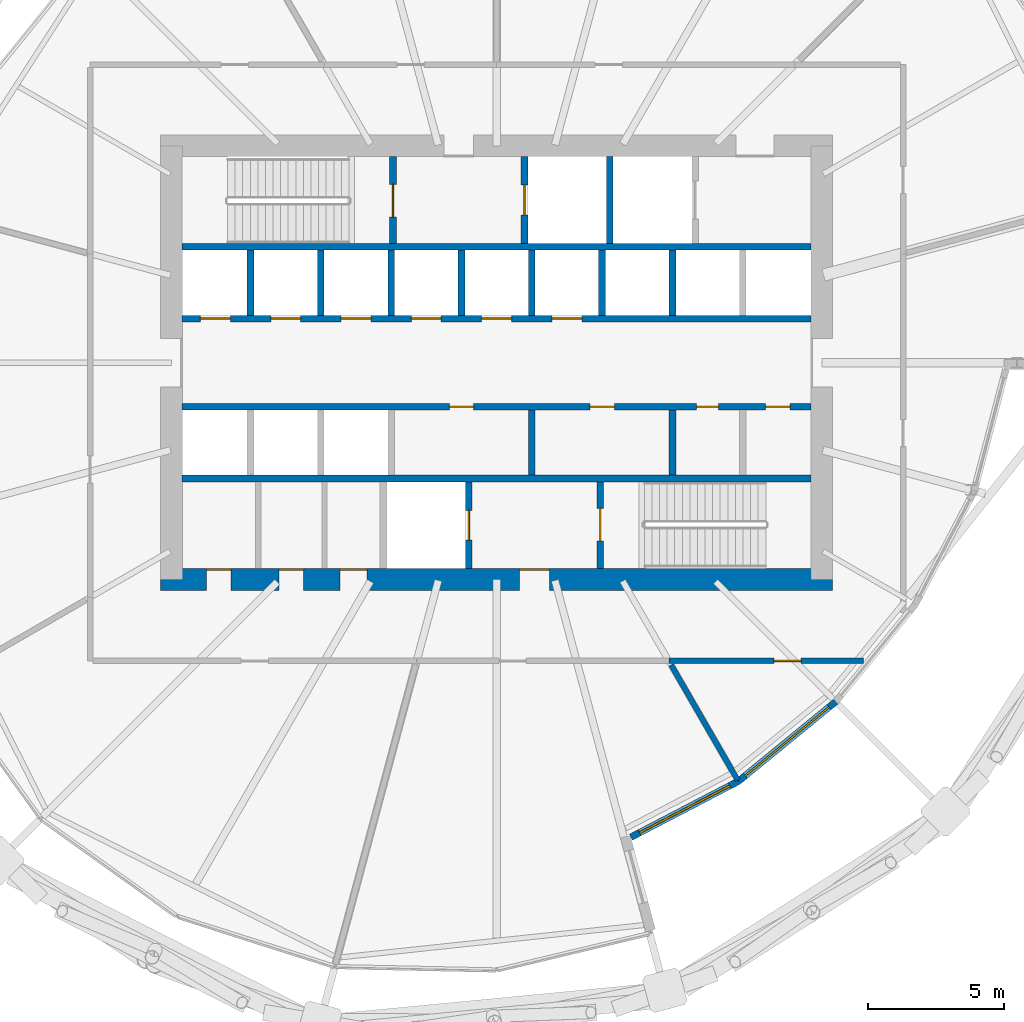
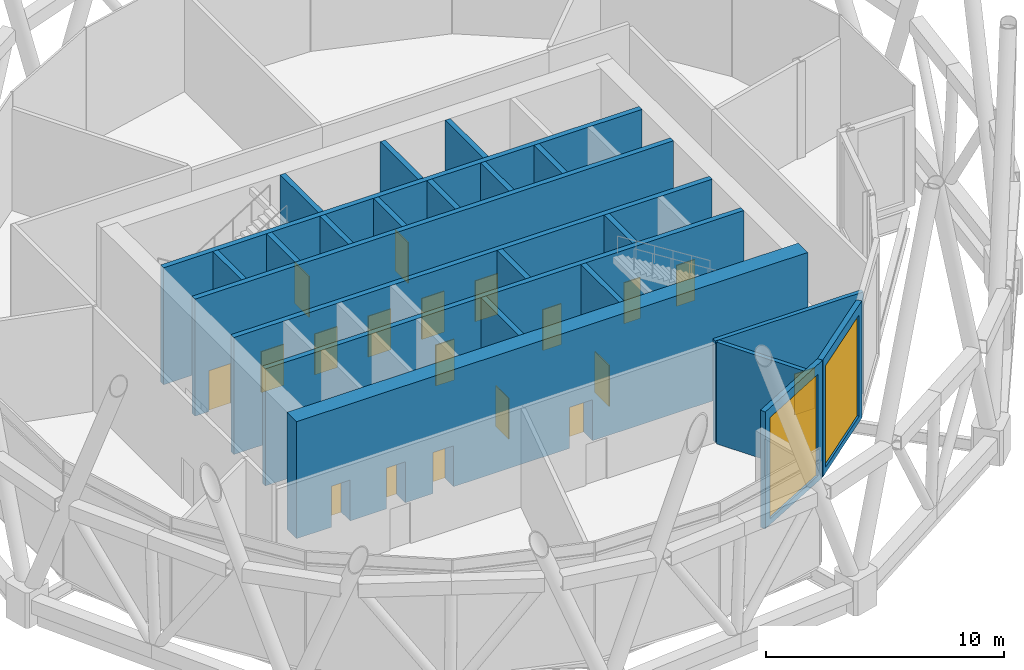
# One storey, part 29 of 33: 23 walls, 19 doors, 2 windows, 21 openings.
"""IFC4 building model written with IfcOpenShell, lengths in metres."""

from ifc_helpers import new_model, si_unit, direction, frame, frame_2d, origin, place, context, subcontext, project, spatial, rectangle, extrude, material, layer, layer_set, type_object, element, fill, save


model = new_model("IFC4")

# Units and contexts
model_context = context("Model", 3, precision=1e-05, world=origin(), true_north=direction((0.0, 1.0)))
body_context = subcontext(model_context, "Body", "Model", "MODEL_VIEW")
ifc_project = project(units=[si_unit("LENGTHUNIT", "METRE"), si_unit("AREAUNIT", "SQUARE_METRE"), si_unit("VOLUMEUNIT", "CUBIC_METRE"), si_unit("PLANEANGLEUNIT", "RADIAN"), si_unit("MASSUNIT", "GRAM", prefix="KILO")], contexts=[model_context])

# Site, building, storey
site_placement = place(None, origin())
site = spatial("IfcSite", under=ifc_project, at=site_placement, CompositionType="ELEMENT")
building_placement = place(site_placement, origin())
building = spatial("IfcBuilding", under=site, at=building_placement, Name="Rimbun Link Towers", CompositionType="ELEMENT")
storey_placement = place(building_placement, frame((0.0, 0.0, 75.60009765625)))
storey = spatial("IfcBuildingStorey", under=building, at=storey_placement, Name="L18", CompositionType="ELEMENT", Elevation=75.60009765625)

# Wall, opening, window
ifc_material_1 = material(Name="Dark enamelled glass spandrel on insulated aluminium backpan", Category="aluminium")
ifc_layer_1 = layer(ifc_material_1, 0.25)
ifc_layer_set_1 = layer_set([ifc_layer_1], Name="CS dark enamelled spandrel wall 250")
wall_type_1 = type_object("IfcWallType", Name="CS dark enamelled spandrel wall 250", PredefinedType="STANDARD", material=ifc_layer_set_1)
wall_1_placement = place(storey_placement, frame((40.6748046875, -15.443359375, 0.0), z_axis=(0.0, 0.0, 1.0), x_axis=(-0.887027558448, -0.461716482869, 0.0)))
wall_1 = element("IfcWall", 1, at=wall_1_placement, inside=storey, type_object=wall_type_1, Name="Crease spandrel wall", PredefinedType="STANDARD", context=body_context, shape_type="SweptSolid", body=[
    extrude(rectangle(XDim=4.479736328125, YDim=0.25, at=frame_2d((2.23974609375, 0.0))), origin(), (0.0, 0.0, 1.0), 6.0),
])
opening_1_placement = place(wall_1_placement, frame((0.364990234375, 0.0, 0.300048828125)))
opening_1 = element("IfcOpeningElement", 2, at=opening_1_placement, cuts=wall_1, Name="Opening WR38H520", PredefinedType="OPENING", context=body_context, shape_type="SweptSolid", body=[
    extrude(rectangle(XDim=3.75, YDim=5.199951171875, at=frame_2d((1.875, 2.60009765625))), frame((0.0, 0.135009765625, 0.0), z_axis=(0.0, -1.0, 0.0), x_axis=(1.0, 0.0, 0.0)), (0.0, 0.0, 1.0), 0.27001953125),
])
ifc_material_2 = material(Name="Aluminium framed fixed window, dark tinted low-e glass", Category="aluminium")
window_type_1 = type_object("IfcWindowType", Name="WR ribbon window 3750X5200", PartitioningType="SINGLE_PANEL", PredefinedType="WINDOW", material=ifc_material_2)
window_1_placement = place(opening_1_placement, origin())
window_1 = element("IfcWindow", 3, at=window_1_placement, inside=storey, type_object=window_type_1, Name="Crease ribbon window", OverallHeight=5.199951171875, OverallWidth=3.75, PartitioningType="SINGLE_PANEL", PredefinedType="WINDOW", context=body_context, shape_type="SweptSolid", body=[
    extrude(rectangle(XDim=3.75, YDim=5.199951171875, at=frame_2d((1.875, 2.60009765625))), frame((0.0, 0.030029296875, 0.0), z_axis=(0.0, -1.0, 0.0), x_axis=(1.0, 0.0, 0.0)), (0.0, 0.0, 1.0), 0.06005859375),
])
fill(opening_1, window_1)

wall_2_placement = place(storey_placement, frame((44.259765625, -12.509765625, 0.0), z_axis=(0.0, 0.0, 1.0), x_axis=(-0.773910332823, -0.633295189268, 0.0)))
wall_2 = element("IfcWall", 4, at=wall_2_placement, inside=storey, type_object=wall_type_1, Name="Crease spandrel wall", PredefinedType="STANDARD", context=body_context, shape_type="SweptSolid", body=[
    extrude(rectangle(XDim=4.63232421875, YDim=0.25, at=frame_2d((2.316162109375, 0.0))), origin(), (0.0, 0.0, 1.0), 6.0),
])
opening_2_placement = place(wall_2_placement, frame((0.316162109375, 0.0, 0.300048828125)))
opening_2 = element("IfcOpeningElement", 5, at=opening_2_placement, cuts=wall_2, Name="Opening WR40H520", PredefinedType="OPENING", context=body_context, shape_type="SweptSolid", body=[
    extrude(rectangle(XDim=4.0, YDim=5.199951171875, at=frame_2d((2.0, 2.60009765625))), frame((0.0, 0.135009765625, 0.0), z_axis=(0.0, -1.0, 0.0), x_axis=(1.0, 0.0, 0.0)), (0.0, 0.0, 1.0), 0.27001953125),
])
ifc_material_3 = material(Name="Aluminium framed fixed window, dark tinted low-e glass", Category="aluminium")
window_type_2 = type_object("IfcWindowType", Name="WR ribbon window 4000X5200", PartitioningType="SINGLE_PANEL", PredefinedType="WINDOW", material=ifc_material_3)
window_2_placement = place(opening_2_placement, origin())
window_2 = element("IfcWindow", 6, at=window_2_placement, inside=storey, type_object=window_type_2, Name="Crease ribbon window", OverallHeight=5.199951171875, OverallWidth=4.0, PartitioningType="SINGLE_PANEL", PredefinedType="WINDOW", context=body_context, shape_type="SweptSolid", body=[
    extrude(rectangle(XDim=4.0, YDim=5.199951171875, at=frame_2d((2.0, 2.60009765625))), frame((0.0, 0.030029296875, 0.0), z_axis=(0.0, -1.0, 0.0), x_axis=(1.0, 0.0, 0.0)), (0.0, 0.0, 1.0), 0.06005859375),
])
fill(opening_2, window_2)

# Wall, openings, doors
ifc_material_4 = material(Name="Concrete C60/75", Category="concrete")
ifc_layer_2 = layer(ifc_material_4, 0.800048828125)
ifc_layer_set_2 = layer_set([ifc_layer_2], Name="Core shear wall 800")
wall_type_2 = type_object("IfcWallType", Name="Core shear wall 800", PredefinedType="SHEAR", material=ifc_layer_set_2)
wall_3_placement = place(storey_placement, frame((19.35009765625, -8.0, 0.0), z_axis=(0.0, 0.0, 1.0), x_axis=(1.0, 0.0, 0.0)))
wall_3 = element("IfcWall", 7, at=wall_3_placement, inside=storey, type_object=wall_type_2, Name="L18 T2 core wall S", PredefinedType="SHEAR", context=body_context, shape_type="SweptSolid", body=[
    extrude(rectangle(XDim=24.7998046875, YDim=0.800048828125, at=frame_2d((12.39990234375, 0.0))), origin(), (0.0, 0.0, 1.0), 6.0),
])
opening_3_placement = place(wall_3_placement, frame((13.25, 0.0, 0.0)))
opening_3 = element("IfcOpeningElement", 8, at=opening_3_placement, cuts=wall_3, Name="Opening C2DCF01S", PredefinedType="OPENING", context=body_context, shape_type="SweptSolid", body=[
    extrude(rectangle(XDim=1.10009765625, YDim=2.10009765625, at=frame_2d((0.550048828125, 1.050048828125))), frame((0.0, 0.409912109375, 0.0), z_axis=(0.0, -1.0, 0.0), x_axis=(1.0, 0.0, 0.0)), (0.0, 0.0, 1.0), 0.820068359375),
])
opening_4_placement = place(wall_3_placement, frame((1.699951171875, 0.0, 0.0)))
opening_4 = element("IfcOpeningElement", 9, at=opening_4_placement, cuts=wall_3, Name="Opening C2DWC02S", PredefinedType="OPENING", context=body_context, shape_type="SweptSolid", body=[
    extrude(rectangle(XDim=0.89990234375, YDim=2.10009765625, at=frame_2d((0.449951171875, 1.050048828125))), frame((0.0, 0.409912109375, 0.0), z_axis=(0.0, -1.0, 0.0), x_axis=(1.0, 0.0, 0.0)), (0.0, 0.0, 1.0), 0.820068359375),
])
opening_5_placement = place(wall_3_placement, frame((4.375, 0.0, 0.0)))
opening_5 = element("IfcOpeningElement", 10, at=opening_5_placement, cuts=wall_3, Name="Opening C2DWC03S", PredefinedType="OPENING", context=body_context, shape_type="SweptSolid", body=[
    extrude(rectangle(XDim=0.89990234375, YDim=2.10009765625, at=frame_2d((0.449951171875, 1.050048828125))), frame((0.0, 0.409912109375, 0.0), z_axis=(0.0, -1.0, 0.0), x_axis=(1.0, 0.0, 0.0)), (0.0, 0.0, 1.0), 0.820068359375),
])
opening_6_placement = place(wall_3_placement, frame((6.625, 0.0, 0.0)))
opening_6 = element("IfcOpeningElement", 11, at=opening_6_placement, cuts=wall_3, Name="Opening C2DAW04S", PredefinedType="OPENING", context=body_context, shape_type="SweptSolid", body=[
    extrude(rectangle(XDim=1.0, YDim=2.10009765625, at=frame_2d((0.5, 1.050048828125))), frame((0.0, 0.409912109375, 0.0), z_axis=(0.0, -1.0, 0.0), x_axis=(1.0, 0.0, 0.0)), (0.0, 0.0, 1.0), 0.820068359375),
])
ifc_material_5 = material(Name="Timber", Category="wood")
door_type_1 = type_object("IfcDoorType", Name="Accessible WC door", OperationType="SINGLE_SWING_LEFT", PredefinedType="DOOR", material=ifc_material_5)
door_1_placement = place(opening_6_placement, origin())
door_1 = element("IfcDoor", 12, at=door_1_placement, inside=storey, type_object=door_type_1, Name="L18 T2 accessible wc door", OperationType="SINGLE_SWING_RIGHT", OverallHeight=2.10009765625, OverallWidth=1.0, PredefinedType="DOOR", context=body_context, shape_type="SweptSolid", body=[
    extrude(rectangle(XDim=1.0, YDim=2.10009765625, at=frame_2d((0.5, 1.050048828125))), frame((0.0, 0.39990234375, 0.0), z_axis=(0.0, -1.0, 0.0), x_axis=(1.0, 0.0, 0.0)), (0.0, 0.0, 1.0), 0.050048828125),
])
fill(opening_6, door_1)
ifc_material_6 = material(Name="Steel fire door set", Category="steel")
door_type_2 = type_object("IfcDoorType", Name="Core fire door single", OperationType="SINGLE_SWING_LEFT", PredefinedType="DOOR", material=ifc_material_6)
door_2_placement = place(opening_3_placement, origin())
door_2 = element("IfcDoor", 13, at=door_2_placement, inside=storey, type_object=door_type_2, Name="L18 T2 firefighting lobby s door", OperationType="SINGLE_SWING_RIGHT", OverallHeight=2.10009765625, OverallWidth=1.10009765625, PredefinedType="DOOR", context=body_context, shape_type="SweptSolid", body=[
    extrude(rectangle(XDim=1.10009765625, YDim=2.10009765625, at=frame_2d((0.550048828125, 1.050048828125))), frame((0.0, 0.39990234375, 0.0), z_axis=(0.0, -1.0, 0.0), x_axis=(1.0, 0.0, 0.0)), (0.0, 0.0, 1.0), 0.050048828125),
])
fill(opening_3, door_2)
ifc_material_7 = material(Name="Timber", Category="wood")
door_type_3 = type_object("IfcDoorType", Name="WC door", OperationType="SINGLE_SWING_LEFT", PredefinedType="DOOR", material=ifc_material_7)
door_3_placement = place(opening_4_placement, origin())
door_3 = element("IfcDoor", 14, at=door_3_placement, inside=storey, type_object=door_type_3, Name="L18 T2 male wc door", OperationType="SINGLE_SWING_RIGHT", OverallHeight=2.10009765625, OverallWidth=0.89990234375, PredefinedType="DOOR", context=body_context, shape_type="SweptSolid", body=[
    extrude(rectangle(XDim=0.89990234375, YDim=2.10009765625, at=frame_2d((0.449951171875, 1.050048828125))), frame((0.0, 0.39990234375, 0.0), z_axis=(0.0, -1.0, 0.0), x_axis=(1.0, 0.0, 0.0)), (0.0, 0.0, 1.0), 0.050048828125),
])
fill(opening_4, door_3)
door_4_placement = place(opening_5_placement, origin())
door_4 = element("IfcDoor", 15, at=door_4_placement, inside=storey, type_object=door_type_3, Name="L18 T2 female wc door", OperationType="SINGLE_SWING_LEFT", OverallHeight=2.10009765625, OverallWidth=0.89990234375, PredefinedType="DOOR", context=body_context, shape_type="SweptSolid", body=[
    extrude(rectangle(XDim=0.89990234375, YDim=2.10009765625, at=frame_2d((0.449951171875, 1.050048828125))), frame((0.0, 0.39990234375, 0.0), z_axis=(0.0, -1.0, 0.0), x_axis=(1.0, 0.0, 0.0)), (0.0, 0.0, 1.0), 0.050048828125),
])
fill(opening_5, door_4)

# Wall, opening, door
ifc_material_8 = material(Name="Concrete blockwork", Category="masonry")
ifc_layer_3 = layer(ifc_material_8, 0.199951171875)
ifc_layer_set_3 = layer_set([ifc_layer_3], Name="Fire partition 200 blockwork")
wall_type_3 = type_object("IfcWallType", Name="Fire partition 200 blockwork", PredefinedType="PARTITIONING", material=ifc_layer_set_3)
wall_4_placement = place(storey_placement, frame((38.100830078125, -11.0, 0.0), z_axis=(0.0, 0.0, 1.0), x_axis=(1.0, 0.0, 0.0)))
wall_4 = element("IfcWall", 16, at=wall_4_placement, inside=storey, type_object=wall_type_3, Name="TW/PW/L18/026", PredefinedType="PARTITIONING", context=body_context, shape_type="SweptSolid", body=[
    extrude(rectangle(XDim=7.182861328125, YDim=0.199951171875, at=frame_2d((3.59130859375, 0.0))), origin(), (0.0, 0.0, 1.0), 5.216796875),
])
opening_7_placement = place(wall_4_placement, frame((3.884033203125, 0.0, 0.0)))
opening_7 = element("IfcOpeningElement", 17, at=opening_7_placement, cuts=wall_4, Name="Opening TW D18.12", PredefinedType="OPENING", context=body_context, shape_type="SweptSolid", body=[
    extrude(rectangle(XDim=1.0, YDim=2.10009765625, at=frame_2d((0.5, 1.050048828125))), frame((0.0, 0.10986328125, 0.0), z_axis=(0.0, -1.0, 0.0), x_axis=(1.0, 0.0, 0.0)), (0.0, 0.0, 1.0), 0.219970703125),
])
ifc_material_9 = material(Name="Steel fire door set", Category="steel")
door_type_4 = type_object("IfcDoorType", Name="Fire door single leaf 1000 x 2100", OperationType="NOTDEFINED", PredefinedType="DOOR", material=ifc_material_9)
door_5_placement = place(opening_7_placement, origin())
door_5 = element("IfcDoor", 18, at=door_5_placement, inside=storey, type_object=door_type_4, Name="TW/DR/L18/012", OperationType="SINGLE_SWING_LEFT", OverallHeight=2.10009765625, OverallWidth=1.0, PredefinedType="DOOR", context=body_context, shape_type="SweptSolid", body=[
    extrude(rectangle(XDim=1.0, YDim=2.10009765625, at=frame_2d((0.5, 1.050048828125))), frame((0.0, 0.02490234375, 0.0), z_axis=(0.0, -1.0, 0.0), x_axis=(1.0, 0.0, 0.0)), (0.0, 0.0, 1.0), 0.050048828125),
])
fill(opening_7, door_5)

# Walls
wall_5_placement = place(storey_placement, frame((40.6455078125, -15.40771484375, 0.0), z_axis=(0.0, 0.0, 1.0), x_axis=(-0.499963176624, 0.866046662726, 0.0)))
element("IfcWall", 19, at=wall_5_placement, inside=storey, type_object=wall_type_3, Name="TW/PW/L18/038", PredefinedType="PARTITIONING", context=body_context, shape_type="SweptSolid", body=[
    extrude(rectangle(XDim=4.916259765625, YDim=0.199951171875, at=frame_2d((2.4580078125, 0.0))), origin(), (0.0, 0.0, 1.0), 5.216796875),
])
ifc_material_10 = material(Name="Concrete C60/75", Category="concrete")
ifc_layer_4 = layer(ifc_material_10, 0.25)
ifc_layer_set_4 = layer_set([ifc_layer_4], Name="Shaft wall 250")
wall_type_4 = type_object("IfcWallType", Name="Shaft wall 250", PredefinedType="SHEAR", material=ifc_layer_set_4)
for number, where, z_axis, x_axis, name in (
    (20, (20.14990234375, 4.27490234375, 0.0), (0.0, 0.0, 1.0), (1.0, 0.0, 0.0), "L18 T2 core wall BN"),
    (21, (20.14990234375, -4.27490234375, 0.0), (0.0, 0.0, 1.0), (1.0, 0.0, 0.0), "L18 T2 core wall BS"),
):
    element("IfcWall", number, at=place(storey_placement, frame(where, z_axis=z_axis, x_axis=x_axis)), inside=storey, type_object=wall_type_4, Name=name, PredefinedType="SHEAR", context=body_context, shape_type="SweptSolid", body=[
        extrude(rectangle(XDim=23.2001953125, YDim=0.25, at=frame_2d((11.60009765625, 0.0))), origin(), (0.0, 0.0, 1.0), 6.0),
    ])

# Wall, openings, doors
wall_6_placement = place(storey_placement, frame((20.14990234375, 1.625, 0.0), z_axis=(0.0, 0.0, 1.0), x_axis=(1.0, 0.0, 0.0)))
wall_6 = element("IfcWall", 22, at=wall_6_placement, inside=storey, type_object=wall_type_4, Name="L18 T2 core wall FN", PredefinedType="SHEAR", context=body_context, shape_type="SweptSolid", body=[
    extrude(rectangle(XDim=23.2001953125, YDim=0.25, at=frame_2d((11.60009765625, 0.0))), origin(), (0.0, 0.0, 1.0), 6.0),
])
opening_8_placement = place(wall_6_placement, frame((0.672119140625, 0.0, 0.0)))
opening_8 = element("IfcOpeningElement", 23, at=opening_8_placement, cuts=wall_6, Name="Opening LD-T2-LR1", PredefinedType="OPENING", context=body_context, shape_type="SweptSolid", body=[
    extrude(rectangle(XDim=1.10009765625, YDim=2.10009765625, at=frame_2d((0.550048828125, 1.050048828125))), frame((0.0, 0.135009765625, 0.0), z_axis=(0.0, -1.0, 0.0), x_axis=(1.0, 0.0, 0.0)), (0.0, 0.0, 1.0), 0.27001953125),
])
opening_9_placement = place(wall_6_placement, frame((3.2666015625, 0.0, 0.0)))
opening_9 = element("IfcOpeningElement", 24, at=opening_9_placement, cuts=wall_6, Name="Opening LD-T2-LR2", PredefinedType="OPENING", context=body_context, shape_type="SweptSolid", body=[
    extrude(rectangle(XDim=1.10009765625, YDim=2.10009765625, at=frame_2d((0.550048828125, 1.050048828125))), frame((0.0, 0.135009765625, 0.0), z_axis=(0.0, -1.0, 0.0), x_axis=(1.0, 0.0, 0.0)), (0.0, 0.0, 1.0), 0.27001953125),
])
opening_10_placement = place(wall_6_placement, frame((5.861083984375, 0.0, 0.0)))
opening_10 = element("IfcOpeningElement", 25, at=opening_10_placement, cuts=wall_6, Name="Opening LD-T2-LR3", PredefinedType="OPENING", context=body_context, shape_type="SweptSolid", body=[
    extrude(rectangle(XDim=1.10009765625, YDim=2.10009765625, at=frame_2d((0.550048828125, 1.050048828125))), frame((0.0, 0.135009765625, 0.0), z_axis=(0.0, -1.0, 0.0), x_axis=(1.0, 0.0, 0.0)), (0.0, 0.0, 1.0), 0.27001953125),
])
opening_11_placement = place(wall_6_placement, frame((8.45556640625, 0.0, 0.0)))
opening_11 = element("IfcOpeningElement", 26, at=opening_11_placement, cuts=wall_6, Name="Opening LD-T2-LR4", PredefinedType="OPENING", context=body_context, shape_type="SweptSolid", body=[
    extrude(rectangle(XDim=1.10009765625, YDim=2.10009765625, at=frame_2d((0.550048828125, 1.050048828125))), frame((0.0, 0.135009765625, 0.0), z_axis=(0.0, -1.0, 0.0), x_axis=(1.0, 0.0, 0.0)), (0.0, 0.0, 1.0), 0.27001953125),
])
opening_12_placement = place(wall_6_placement, frame((11.050048828125, 0.0, 0.0)))
opening_12 = element("IfcOpeningElement", 27, at=opening_12_placement, cuts=wall_6, Name="Opening LD-T2-LR5", PredefinedType="OPENING", context=body_context, shape_type="SweptSolid", body=[
    extrude(rectangle(XDim=1.10009765625, YDim=2.10009765625, at=frame_2d((0.550048828125, 1.050048828125))), frame((0.0, 0.135009765625, 0.0), z_axis=(0.0, -1.0, 0.0), x_axis=(1.0, 0.0, 0.0)), (0.0, 0.0, 1.0), 0.27001953125),
])
opening_13_placement = place(wall_6_placement, frame((13.644287109375, 0.0, 0.0)))
opening_13 = element("IfcOpeningElement", 28, at=opening_13_placement, cuts=wall_6, Name="Opening LD-T2-LR6", PredefinedType="OPENING", context=body_context, shape_type="SweptSolid", body=[
    extrude(rectangle(XDim=1.10009765625, YDim=2.10009765625, at=frame_2d((0.550048828125, 1.050048828125))), frame((0.0, 0.135009765625, 0.0), z_axis=(0.0, -1.0, 0.0), x_axis=(1.0, 0.0, 0.0)), (0.0, 0.0, 1.0), 0.27001953125),
])
ifc_material_11 = material(Name="Stainless steel grade 316", Category="steel")
door_type_5 = type_object("IfcDoorType", Name="Lift landing door", OperationType="DOUBLE_DOOR_SLIDING", PredefinedType="DOOR", material=ifc_material_11)
door_6_placement = place(opening_8_placement, origin())
door_6 = element("IfcDoor", 29, at=door_6_placement, inside=storey, type_object=door_type_5, Name="L18 T2 lift LR1 landing door", OperationType="DOUBLE_DOOR_SLIDING", OverallHeight=2.10009765625, OverallWidth=1.10009765625, PredefinedType="DOOR", context=body_context, shape_type="SweptSolid", body=[
    extrude(rectangle(XDim=1.10009765625, YDim=2.10009765625, at=frame_2d((0.550048828125, 1.050048828125))), frame((0.0, 0.02490234375, 0.0), z_axis=(0.0, -1.0, 0.0), x_axis=(1.0, 0.0, 0.0)), (0.0, 0.0, 1.0), 0.050048828125),
])
fill(opening_8, door_6)
door_7_placement = place(opening_9_placement, origin())
door_7 = element("IfcDoor", 30, at=door_7_placement, inside=storey, type_object=door_type_5, Name="L18 T2 lift LR2 landing door", OperationType="DOUBLE_DOOR_SLIDING", OverallHeight=2.10009765625, OverallWidth=1.10009765625, PredefinedType="DOOR", context=body_context, shape_type="SweptSolid", body=[
    extrude(rectangle(XDim=1.10009765625, YDim=2.10009765625, at=frame_2d((0.550048828125, 1.050048828125))), frame((0.0, 0.02490234375, 0.0), z_axis=(0.0, -1.0, 0.0), x_axis=(1.0, 0.0, 0.0)), (0.0, 0.0, 1.0), 0.050048828125),
])
fill(opening_9, door_7)
door_8_placement = place(opening_10_placement, origin())
door_8 = element("IfcDoor", 31, at=door_8_placement, inside=storey, type_object=door_type_5, Name="L18 T2 lift LR3 landing door", OperationType="DOUBLE_DOOR_SLIDING", OverallHeight=2.10009765625, OverallWidth=1.10009765625, PredefinedType="DOOR", context=body_context, shape_type="SweptSolid", body=[
    extrude(rectangle(XDim=1.10009765625, YDim=2.10009765625, at=frame_2d((0.550048828125, 1.050048828125))), frame((0.0, 0.02490234375, 0.0), z_axis=(0.0, -1.0, 0.0), x_axis=(1.0, 0.0, 0.0)), (0.0, 0.0, 1.0), 0.050048828125),
])
fill(opening_10, door_8)
door_9_placement = place(opening_11_placement, origin())
door_9 = element("IfcDoor", 32, at=door_9_placement, inside=storey, type_object=door_type_5, Name="L18 T2 lift LR4 landing door", OperationType="DOUBLE_DOOR_SLIDING", OverallHeight=2.10009765625, OverallWidth=1.10009765625, PredefinedType="DOOR", context=body_context, shape_type="SweptSolid", body=[
    extrude(rectangle(XDim=1.10009765625, YDim=2.10009765625, at=frame_2d((0.550048828125, 1.050048828125))), frame((0.0, 0.02490234375, 0.0), z_axis=(0.0, -1.0, 0.0), x_axis=(1.0, 0.0, 0.0)), (0.0, 0.0, 1.0), 0.050048828125),
])
fill(opening_11, door_9)
door_10_placement = place(opening_12_placement, origin())
door_10 = element("IfcDoor", 33, at=door_10_placement, inside=storey, type_object=door_type_5, Name="L18 T2 lift LR5 landing door", OperationType="DOUBLE_DOOR_SLIDING", OverallHeight=2.10009765625, OverallWidth=1.10009765625, PredefinedType="DOOR", context=body_context, shape_type="SweptSolid", body=[
    extrude(rectangle(XDim=1.10009765625, YDim=2.10009765625, at=frame_2d((0.550048828125, 1.050048828125))), frame((0.0, 0.02490234375, 0.0), z_axis=(0.0, -1.0, 0.0), x_axis=(1.0, 0.0, 0.0)), (0.0, 0.0, 1.0), 0.050048828125),
])
fill(opening_12, door_10)
door_11_placement = place(opening_13_placement, origin())
door_11 = element("IfcDoor", 34, at=door_11_placement, inside=storey, type_object=door_type_5, Name="L18 T2 lift LR6 landing door", OperationType="DOUBLE_DOOR_SLIDING", OverallHeight=2.10009765625, OverallWidth=1.10009765625, PredefinedType="DOOR", context=body_context, shape_type="SweptSolid", body=[
    extrude(rectangle(XDim=1.10009765625, YDim=2.10009765625, at=frame_2d((0.550048828125, 1.050048828125))), frame((0.0, 0.02490234375, 0.0), z_axis=(0.0, -1.0, 0.0), x_axis=(1.0, 0.0, 0.0)), (0.0, 0.0, 1.0), 0.050048828125),
])
fill(opening_13, door_11)

wall_7_placement = place(storey_placement, frame((20.14990234375, -1.625, 0.0), z_axis=(0.0, 0.0, 1.0), x_axis=(1.0, 0.0, 0.0)))
wall_7 = element("IfcWall", 35, at=wall_7_placement, inside=storey, type_object=wall_type_4, Name="L18 T2 core wall FS", PredefinedType="SHEAR", context=body_context, shape_type="SweptSolid", body=[
    extrude(rectangle(XDim=23.2001953125, YDim=0.25, at=frame_2d((11.60009765625, 0.0))), origin(), (0.0, 0.0, 1.0), 6.0),
])
opening_14_placement = place(wall_7_placement, frame((9.852783203125, 0.0, 0.0)))
opening_14 = element("IfcOpeningElement", 36, at=opening_14_placement, cuts=wall_7, Name="Opening C2DRS01FS", PredefinedType="OPENING", context=body_context, shape_type="SweptSolid", body=[
    extrude(rectangle(XDim=0.89990234375, YDim=2.10009765625, at=frame_2d((0.449951171875, 1.050048828125))), frame((0.0, 0.135009765625, 0.0), z_axis=(0.0, -1.0, 0.0), x_axis=(1.0, 0.0, 0.0)), (0.0, 0.0, 1.0), 0.27001953125),
])
opening_15_placement = place(wall_7_placement, frame((15.041748046875, 0.0, 0.0)))
opening_15 = element("IfcOpeningElement", 37, at=opening_15_placement, cuts=wall_7, Name="Opening C2DRS02FS", PredefinedType="OPENING", context=body_context, shape_type="SweptSolid", body=[
    extrude(rectangle(XDim=0.89990234375, YDim=2.10009765625, at=frame_2d((0.449951171875, 1.050048828125))), frame((0.0, 0.135009765625, 0.0), z_axis=(0.0, -1.0, 0.0), x_axis=(1.0, 0.0, 0.0)), (0.0, 0.0, 1.0), 0.27001953125),
])
opening_16_placement = place(wall_7_placement, frame((18.9833984375, 0.0, 0.0)))
opening_16 = element("IfcOpeningElement", 38, at=opening_16_placement, cuts=wall_7, Name="Opening C2DRA03FS", PredefinedType="OPENING", context=body_context, shape_type="SweptSolid", body=[
    extrude(rectangle(XDim=0.800048828125, YDim=2.10009765625, at=frame_2d((0.39990234375, 1.050048828125))), frame((0.0, 0.135009765625, 0.0), z_axis=(0.0, -1.0, 0.0), x_axis=(1.0, 0.0, 0.0)), (0.0, 0.0, 1.0), 0.27001953125),
])
opening_17_placement = place(wall_7_placement, frame((21.52783203125, 0.0, 0.0)))
opening_17 = element("IfcOpeningElement", 39, at=opening_17_placement, cuts=wall_7, Name="Opening C2DRS04FS", PredefinedType="OPENING", context=body_context, shape_type="SweptSolid", body=[
    extrude(rectangle(XDim=0.89990234375, YDim=2.10009765625, at=frame_2d((0.449951171875, 1.050048828125))), frame((0.0, 0.135009765625, 0.0), z_axis=(0.0, -1.0, 0.0), x_axis=(1.0, 0.0, 0.0)), (0.0, 0.0, 1.0), 0.27001953125),
])
ifc_material_12 = material(Name="Steel fire door set", Category="steel")
door_type_6 = type_object("IfcDoorType", Name="Core riser door", OperationType="SINGLE_SWING_LEFT", PredefinedType="DOOR", material=ifc_material_12)
door_12_placement = place(opening_14_placement, origin())
door_12 = element("IfcDoor", 40, at=door_12_placement, inside=storey, type_object=door_type_6, Name="L18 T2 archive store door", OperationType="SINGLE_SWING_RIGHT", OverallHeight=2.10009765625, OverallWidth=0.89990234375, PredefinedType="DOOR", context=body_context, shape_type="SweptSolid", body=[
    extrude(rectangle(XDim=0.89990234375, YDim=2.10009765625, at=frame_2d((0.449951171875, 1.050048828125))), frame((0.0, 0.02490234375, 0.0), z_axis=(0.0, -1.0, 0.0), x_axis=(1.0, 0.0, 0.0)), (0.0, 0.0, 1.0), 0.050048828125),
])
fill(opening_14, door_12)
door_13_placement = place(opening_15_placement, origin())
door_13 = element("IfcDoor", 41, at=door_13_placement, inside=storey, type_object=door_type_6, Name="L18 T2 pantry door", OperationType="SINGLE_SWING_LEFT", OverallHeight=2.10009765625, OverallWidth=0.89990234375, PredefinedType="DOOR", context=body_context, shape_type="SweptSolid", body=[
    extrude(rectangle(XDim=0.89990234375, YDim=2.10009765625, at=frame_2d((0.449951171875, 1.050048828125))), frame((0.0, 0.02490234375, 0.0), z_axis=(0.0, -1.0, 0.0), x_axis=(1.0, 0.0, 0.0)), (0.0, 0.0, 1.0), 0.050048828125),
])
fill(opening_15, door_13)
door_14_placement = place(opening_17_placement, origin())
door_14 = element("IfcDoor", 42, at=door_14_placement, inside=storey, type_object=door_type_6, Name="L18 T2 staff store door", OperationType="SINGLE_SWING_LEFT", OverallHeight=2.10009765625, OverallWidth=0.89990234375, PredefinedType="DOOR", context=body_context, shape_type="SweptSolid", body=[
    extrude(rectangle(XDim=0.89990234375, YDim=2.10009765625, at=frame_2d((0.449951171875, 1.050048828125))), frame((0.0, 0.02490234375, 0.0), z_axis=(0.0, -1.0, 0.0), x_axis=(1.0, 0.0, 0.0)), (0.0, 0.0, 1.0), 0.050048828125),
])
fill(opening_17, door_14)
ifc_material_13 = material(Name="Steel fire door set", Category="steel")
door_type_7 = type_object("IfcDoorType", Name="Riser access door 800 x 2100", OperationType="SINGLE_SWING_LEFT", PredefinedType="DOOR", material=ifc_material_13)
door_15_placement = place(opening_16_placement, origin())
door_15 = element("IfcDoor", 43, at=door_15_placement, inside=storey, type_object=door_type_7, Name="L18 T2 riser cupboard door", OperationType="SINGLE_SWING_LEFT", OverallHeight=2.10009765625, OverallWidth=0.800048828125, PredefinedType="DOOR", context=body_context, shape_type="SweptSolid", body=[
    extrude(rectangle(XDim=0.800048828125, YDim=2.10009765625, at=frame_2d((0.39990234375, 1.050048828125))), frame((0.0, 0.02490234375, 0.0), z_axis=(0.0, -1.0, 0.0), x_axis=(1.0, 0.0, 0.0)), (0.0, 0.0, 1.0), 0.050048828125),
])
fill(opening_16, door_15)

# Walls
for number, where, z_axis, x_axis, name in (
    (44, (22.66943359375, 1.75, 0.0), (0.0, 0.0, 1.0), (0.0, 1.0, 0.0), "L18 T2 core wall DN0"),
    (45, (25.263916015625, 1.75, 0.0), (0.0, 0.0, 1.0), (0.0, 1.0, 0.0), "L18 T2 core wall DN1"),
    (46, (27.8583984375, 1.75, 0.0), (0.0, 0.0, 1.0), (0.0, 1.0, 0.0), "L18 T2 core wall DN2"),
    (47, (30.452880859375, 1.75, 0.0), (0.0, 0.0, 1.0), (0.0, 1.0, 0.0), "L18 T2 core wall DN3"),
    (48, (33.047119140625, 1.75, 0.0), (0.0, 0.0, 1.0), (0.0, 1.0, 0.0), "L18 T2 core wall DN4"),
    (49, (35.6416015625, 1.75, 0.0), (0.0, 0.0, 1.0), (0.0, 1.0, 0.0), "L18 T2 core wall DN5"),
    (50, (38.236083984375, 1.75, 0.0), (0.0, 0.0, 1.0), (0.0, 1.0, 0.0), "L18 T2 core wall DN6"),
    (51, (33.047119140625, -4.14990234375, 0.0), (0.0, 0.0, 1.0), (0.0, 1.0, 0.0), "L18 T2 core wall DS4"),
    (52, (38.236083984375, -4.14990234375, 0.0), (0.0, 0.0, 1.0), (0.0, 1.0, 0.0), "L18 T2 core wall DS6"),
):
    element("IfcWall", number, at=place(storey_placement, frame(where, z_axis=z_axis, x_axis=x_axis)), inside=storey, type_object=wall_type_4, Name=name, PredefinedType="SHEAR", context=body_context, shape_type="SweptSolid", body=[
        extrude(rectangle(XDim=2.39990234375, YDim=0.25, at=frame_2d((1.199951171875, 0.0))), origin(), (0.0, 0.0, 1.0), 6.0),
    ])

# Wall, opening, door
wall_8_placement = place(storey_placement, frame((27.925048828125, 4.39990234375, 0.0), z_axis=(0.0, 0.0, 1.0), x_axis=(0.0, 1.0, 0.0)))
wall_8 = element("IfcWall", 53, at=wall_8_placement, inside=storey, type_object=wall_type_4, Name="L18 T2 core wall A1", PredefinedType="SHEAR", context=body_context, shape_type="SweptSolid", body=[
    extrude(rectangle(XDim=3.2001953125, YDim=0.25, at=frame_2d((1.60009765625, 0.0))), origin(), (0.0, 0.0, 1.0), 6.0),
])
opening_18_placement = place(wall_8_placement, frame((0.97509765625, 0.0, 0.0)))
opening_18 = element("IfcOpeningElement", 54, at=opening_18_placement, cuts=wall_8, Name="Opening C2DST01A1", PredefinedType="OPENING", context=body_context, shape_type="SweptSolid", body=[
    extrude(rectangle(XDim=1.199951171875, YDim=2.10009765625, at=frame_2d((0.60009765625, 1.050048828125))), frame((0.0, 0.135009765625, 0.0), z_axis=(0.0, -1.0, 0.0), x_axis=(1.0, 0.0, 0.0)), (0.0, 0.0, 1.0), 0.27001953125),
])
ifc_material_14 = material(Name="Steel fire door set", Category="steel")
door_type_8 = type_object("IfcDoorType", Name="Stair door", OperationType="SINGLE_SWING_LEFT", PredefinedType="DOOR", material=ifc_material_14)
door_16_placement = place(opening_18_placement, origin())
door_16 = element("IfcDoor", 55, at=door_16_placement, inside=storey, type_object=door_type_8, Name="L18 T2 stair a door", OperationType="SINGLE_SWING_RIGHT", OverallHeight=2.10009765625, OverallWidth=1.199951171875, PredefinedType="DOOR", context=body_context, shape_type="SweptSolid", body=[
    extrude(rectangle(XDim=1.199951171875, YDim=2.10009765625, at=frame_2d((0.60009765625, 1.050048828125))), frame((0.0, 0.02490234375, 0.0), z_axis=(0.0, -1.0, 0.0), x_axis=(1.0, 0.0, 0.0)), (0.0, 0.0, 1.0), 0.050048828125),
])
fill(opening_18, door_16)

wall_9_placement = place(storey_placement, frame((32.77490234375, 4.39990234375, 0.0), z_axis=(0.0, 0.0, 1.0), x_axis=(0.0, 1.0, 0.0)))
wall_9 = element("IfcWall", 56, at=wall_9_placement, inside=storey, type_object=wall_type_4, Name="L18 T2 core wall A2", PredefinedType="SHEAR", context=body_context, shape_type="SweptSolid", body=[
    extrude(rectangle(XDim=3.2001953125, YDim=0.25, at=frame_2d((1.60009765625, 0.0))), origin(), (0.0, 0.0, 1.0), 6.0),
])
opening_19_placement = place(wall_9_placement, frame((1.050048828125, 0.0, 0.0)))
opening_19 = element("IfcOpeningElement", 57, at=opening_19_placement, cuts=wall_9, Name="Opening LD-T2-FF1", PredefinedType="OPENING", context=body_context, shape_type="SweptSolid", body=[
    extrude(rectangle(XDim=1.10009765625, YDim=2.10009765625, at=frame_2d((0.550048828125, 1.050048828125))), frame((0.0, 0.135009765625, 0.0), z_axis=(0.0, -1.0, 0.0), x_axis=(1.0, 0.0, 0.0)), (0.0, 0.0, 1.0), 0.27001953125),
])
door_17_placement = place(opening_19_placement, origin())
door_17 = element("IfcDoor", 58, at=door_17_placement, inside=storey, type_object=door_type_5, Name="L18 T2 lift FF1 landing door", OperationType="DOUBLE_DOOR_SLIDING", OverallHeight=2.10009765625, OverallWidth=1.10009765625, PredefinedType="DOOR", context=body_context, shape_type="SweptSolid", body=[
    extrude(rectangle(XDim=1.10009765625, YDim=2.10009765625, at=frame_2d((0.550048828125, 1.050048828125))), frame((0.0, 0.02490234375, 0.0), z_axis=(0.0, -1.0, 0.0), x_axis=(1.0, 0.0, 0.0)), (0.0, 0.0, 1.0), 0.050048828125),
])
fill(opening_19, door_17)

# Wall
wall_10_placement = place(storey_placement, frame((35.925048828125, 4.39990234375, 0.0), z_axis=(0.0, 0.0, 1.0), x_axis=(0.0, 1.0, 0.0)))
element("IfcWall", 59, at=wall_10_placement, inside=storey, type_object=wall_type_4, Name="L18 T2 core wall A3", PredefinedType="SHEAR", context=body_context, shape_type="SweptSolid", body=[
    extrude(rectangle(XDim=3.2001953125, YDim=0.25, at=frame_2d((1.60009765625, 0.0))), origin(), (0.0, 0.0, 1.0), 6.0),
])

# Wall, opening, door
wall_11_placement = place(storey_placement, frame((35.574951171875, -4.39990234375, 0.0), z_axis=(0.0, 0.0, 1.0), x_axis=(0.0, -1.0, 0.0)))
wall_11 = element("IfcWall", 60, at=wall_11_placement, inside=storey, type_object=wall_type_4, Name="L18 T2 core wall B1", PredefinedType="SHEAR", context=body_context, shape_type="SweptSolid", body=[
    extrude(rectangle(XDim=3.2001953125, YDim=0.25, at=frame_2d((1.60009765625, 0.0))), origin(), (0.0, 0.0, 1.0), 6.0),
])
opening_20_placement = place(wall_11_placement, frame((0.97509765625, 0.0, 0.0)))
opening_20 = element("IfcOpeningElement", 61, at=opening_20_placement, cuts=wall_11, Name="Opening C2DST01B1", PredefinedType="OPENING", context=body_context, shape_type="SweptSolid", body=[
    extrude(rectangle(XDim=1.199951171875, YDim=2.10009765625, at=frame_2d((0.60009765625, 1.050048828125))), frame((0.0, 0.135009765625, 0.0), z_axis=(0.0, -1.0, 0.0), x_axis=(1.0, 0.0, 0.0)), (0.0, 0.0, 1.0), 0.27001953125),
])
door_18_placement = place(opening_20_placement, origin())
door_18 = element("IfcDoor", 62, at=door_18_placement, inside=storey, type_object=door_type_8, Name="L18 T2 stair b door", OperationType="SINGLE_SWING_RIGHT", OverallHeight=2.10009765625, OverallWidth=1.199951171875, PredefinedType="DOOR", context=body_context, shape_type="SweptSolid", body=[
    extrude(rectangle(XDim=1.199951171875, YDim=2.10009765625, at=frame_2d((0.60009765625, 1.050048828125))), frame((0.0, 0.02490234375, 0.0), z_axis=(0.0, -1.0, 0.0), x_axis=(1.0, 0.0, 0.0)), (0.0, 0.0, 1.0), 0.050048828125),
])
fill(opening_20, door_18)

wall_12_placement = place(storey_placement, frame((30.72509765625, -4.39990234375, 0.0), z_axis=(0.0, 0.0, 1.0), x_axis=(0.0, -1.0, 0.0)))
wall_12 = element("IfcWall", 63, at=wall_12_placement, inside=storey, type_object=wall_type_4, Name="L18 T2 core wall B2", PredefinedType="SHEAR", context=body_context, shape_type="SweptSolid", body=[
    extrude(rectangle(XDim=3.2001953125, YDim=0.25, at=frame_2d((1.60009765625, 0.0))), origin(), (0.0, 0.0, 1.0), 6.0),
])
opening_21_placement = place(wall_12_placement, frame((1.050048828125, 0.0, 0.0)))
opening_21 = element("IfcOpeningElement", 64, at=opening_21_placement, cuts=wall_12, Name="Opening LD-T2-FF2", PredefinedType="OPENING", context=body_context, shape_type="SweptSolid", body=[
    extrude(rectangle(XDim=1.10009765625, YDim=2.10009765625, at=frame_2d((0.550048828125, 1.050048828125))), frame((0.0, 0.135009765625, 0.0), z_axis=(0.0, -1.0, 0.0), x_axis=(1.0, 0.0, 0.0)), (0.0, 0.0, 1.0), 0.27001953125),
])
door_19_placement = place(opening_21_placement, origin())
door_19 = element("IfcDoor", 65, at=door_19_placement, inside=storey, type_object=door_type_5, Name="L18 T2 lift FF2 landing door", OperationType="DOUBLE_DOOR_SLIDING", OverallHeight=2.10009765625, OverallWidth=1.10009765625, PredefinedType="DOOR", context=body_context, shape_type="SweptSolid", body=[
    extrude(rectangle(XDim=1.10009765625, YDim=2.10009765625, at=frame_2d((0.550048828125, 1.050048828125))), frame((0.0, 0.02490234375, 0.0), z_axis=(0.0, -1.0, 0.0), x_axis=(1.0, 0.0, 0.0)), (0.0, 0.0, 1.0), 0.050048828125),
])
fill(opening_21, door_19)

save(model, "model.ifc")
